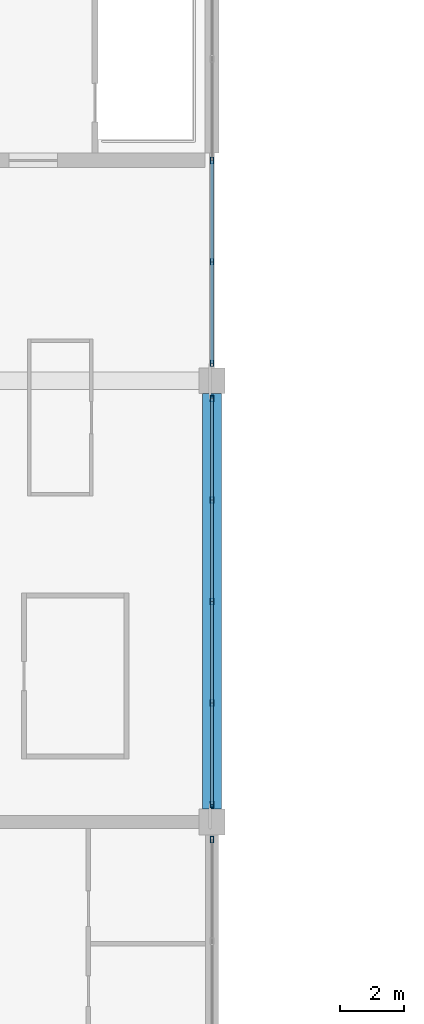
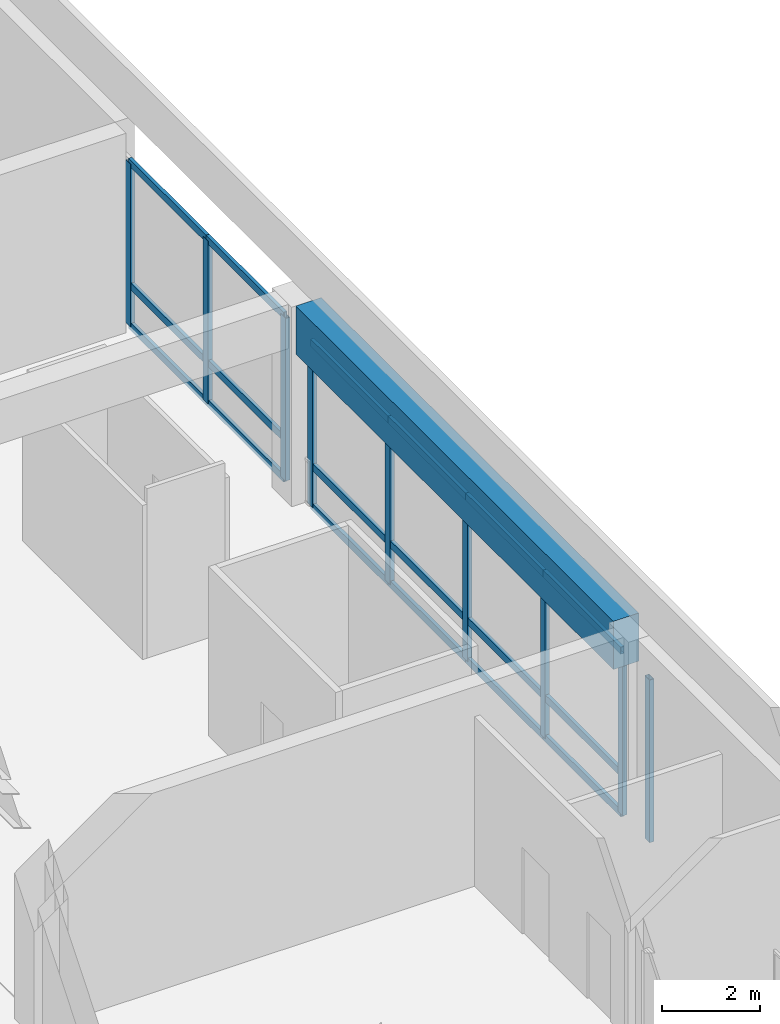
# One storey, part 20 of 113: 27 members, 1 beam, 3 elements without a shape of their own.
"""IFC4 building model written with IfcOpenShell, lengths in metres."""

import ifcopenshell
import ifcopenshell.guid

model = None  # the IFC model being written
_history = None  # IfcOwnerHistory: only IFC2X3 demands one
_inside = {}  # id of a spatial element -> (the spatial element, [elements in it])
_under = {}  # id of a project, library or spatial element -> (it, [spatial elements below it])
_declared = {}  # id of a project -> (the project, [libraries it declares])
_typed = {}  # id of a type object -> (the type object, [elements of that type])
_made_of = {}  # id of a material, layer set ... -> (it, [elements and type objects made of it])


def new_model(schema):
    """Start an empty IFC model of exactly this schema.

    Asked for "IFC4X3", IfcOpenShell would pick the latest addendum, in which some entities
    have other attributes; the version numbers below select the first issue.
    IFC2X3 requires an IfcOwnerHistory on every rooted entity: one is made here for all.
    """
    global model, _history
    if schema == "IFC4X3":
        model = ifcopenshell.file(schema_version=(4, 3, 0, 0))
    else:
        model = ifcopenshell.file(schema=schema)
    _inside.clear()
    _under.clear()
    _declared.clear()
    _typed.clear()
    _made_of.clear()
    _history = None
    if model.schema == "IFC2X3":
        org = make("IfcOrganization", Name="unknown")
        user = make(
            "IfcPersonAndOrganization",
            ThePerson=make("IfcPerson", FamilyName="unknown"),
            TheOrganization=org,
        )
        app = make(
            "IfcApplication",
            ApplicationDeveloper=org,
            Version="unknown",
            ApplicationFullName="unknown",
            ApplicationIdentifier="unknown",
        )
        _history = make(
            "IfcOwnerHistory",
            OwningUser=user,
            OwningApplication=app,
            ChangeAction="ADDED",
            CreationDate=0,
        )
    return model


def make(cls, **values):
    """One entity of the class cls with the attributes given. An attribute that is None is left unset."""
    return model.create_entity(
        cls, **{name: value for name, value in values.items() if value is not None}
    )


def rooted(cls, **values):
    """An entity with a GlobalId (a new one), such as an element, a storey or a relation."""
    return make(cls, GlobalId=ifcopenshell.guid.new(), OwnerHistory=_history, **values)


def si_unit(unit_type, name, prefix=None):
    """IfcSIUnit, for example si_unit("LENGTHUNIT", "METRE", prefix="MILLI")."""
    return make("IfcSIUnit", UnitType=unit_type, Prefix=prefix, Name=name)


def assignment(units):
    """IfcUnitAssignment: the units of a project."""
    return None if units is None else make("IfcUnitAssignment", Units=units)


def point(xyz):
    """IfcCartesianPoint."""
    return None if xyz is None else make("IfcCartesianPoint", Coordinates=xyz)


def direction(xyz):
    """IfcDirection."""
    return None if xyz is None else make("IfcDirection", DirectionRatios=xyz)


def frame(location, z_axis=None, x_axis=None):
    """IfcAxis2Placement3D, a coordinate frame: its origin and axes. An axis left out is left unset."""
    return make(
        "IfcAxis2Placement3D",
        Location=point(location),
        Axis=direction(z_axis),
        RefDirection=direction(x_axis),
    )


def frame_2d(location, x_axis=None):
    """IfcAxis2Placement2D, a coordinate frame in the plane: its origin and x axis."""
    return make(
        "IfcAxis2Placement2D", Location=point(location), RefDirection=direction(x_axis)
    )


def origin():
    """The frame at (0, 0, 0) with its axes left unset."""
    return frame((0.0, 0.0, 0.0))


def origin_2d():
    """The frame at (0, 0) in the plane with its x axis left unset."""
    return frame_2d((0.0, 0.0))


def place(relative_to, where):
    """IfcLocalPlacement: puts the frame where relative to a parent placement (None: the world)."""
    return make(
        "IfcLocalPlacement", PlacementRelTo=relative_to, RelativePlacement=where
    )


def context(
    kind, dimensions, precision=None, world=None, true_north=None, identifier=None
):
    """IfcGeometricRepresentationContext, for example the 3D "Model" context."""
    return make(
        "IfcGeometricRepresentationContext",
        ContextIdentifier=identifier,
        ContextType=kind,
        CoordinateSpaceDimension=dimensions,
        Precision=precision,
        WorldCoordinateSystem=world,
        TrueNorth=true_north,
    )


def subcontext(parent, identifier, kind, view, scale=None):
    """IfcGeometricRepresentationSubContext, for example "Body" below "Model"."""
    return make(
        "IfcGeometricRepresentationSubContext",
        ContextIdentifier=identifier,
        ContextType=kind,
        ParentContext=parent,
        TargetScale=scale,
        TargetView=view,
    )


def project(units=None, contexts=None):
    """IfcProject with its units and contexts."""
    return rooted(
        "IfcProject",
        Name="project",
        RepresentationContexts=contexts,
        UnitsInContext=assignment(units),
    )


def spatial(cls, under=None, at=None, **own):
    """A site, building, storey or space (cls), placed at a placement, below another one or the project."""
    s = rooted(cls, ObjectPlacement=at, **own)
    if under is not None:
        _under.setdefault(under.id(), (under, []))[1].append(s)
    return s


def profile(cls, at=None, kind="AREA", **sizes):
    """A parametric profile (cls). Its sizes go by their IFC names, for example OverallWidth=200.0."""
    return make(cls, ProfileType=kind, Position=at, **sizes)


def rectangle(**sizes):
    """IfcRectangleProfileDef."""
    return profile("IfcRectangleProfileDef", **sizes)


def hollow_rectangle(**sizes):
    """IfcRectangleHollowProfileDef."""
    return profile("IfcRectangleHollowProfileDef", **sizes)


def extrude(swept, where, along, depth):
    """IfcExtrudedAreaSolid: the profile swept, set in the frame where, extruded along a direction by depth."""
    return make(
        "IfcExtrudedAreaSolid",
        SweptArea=swept,
        Position=where,
        ExtrudedDirection=direction(along),
        Depth=depth,
    )


def shape(context_of_items, identifier, shape_type, items):
    """IfcShapeRepresentation: the items that make up one representation, for example the "Body"."""
    return make(
        "IfcShapeRepresentation",
        ContextOfItems=context_of_items,
        RepresentationIdentifier=identifier,
        RepresentationType=shape_type,
        Items=items,
    )


def material(Name=None, Category=None):
    """IfcMaterial."""
    return make("IfcMaterial", Name=Name, Category=Category)


def material_profile(
    of_material, cross_section, Name=None, Category=None, Priority=None
):
    """IfcMaterialProfile: a cross section and its material."""
    return make(
        "IfcMaterialProfile",
        Name=Name,
        Material=of_material,
        Profile=cross_section,
        Priority=Priority,
        Category=Category,
    )


def profile_set(profiles, Name=None, composite=None):
    """IfcMaterialProfileSet."""
    return make(
        "IfcMaterialProfileSet",
        Name=Name,
        MaterialProfiles=profiles,
        CompositeProfile=composite,
    )


def made_of(thing, what):
    """Note that an element or type object is made of a material, layer set ...; save() writes the relation."""
    if what is not None:
        _made_of.setdefault(what.id(), (what, []))[1].append(thing)
    return thing


def type_object(cls, material=None, **own):
    """A type object (cls), such as IfcWallType, which elements share."""
    return made_of(rooted(cls, **own), material)


def element(
    cls,
    number,
    at=None,
    inside=None,
    cuts=None,
    type_object=None,
    material=None,
    context=None,
    identifier="Body",
    shape_type=None,
    held_by="IfcProductDefinitionShape",
    body=None,
    shapes=None,
    **own,
):
    """One element of the class cls, such as IfcWall. Its Tag is "e" and its number.

    at: its placement. inside: the storey or other place that contains it. cuts: it is an
    opening in that element (IfcRelVoidsElement). A single representation is given by context,
    identifier, shape_type and body (its items); several are given by shapes. held_by: the class
    of the entity that holds the representations. save() writes the other relations.
    """
    e = rooted(cls, Tag="e%d" % number, ObjectPlacement=at, **own)
    if body is not None:
        shapes = [shape(context, identifier, shape_type, body)]
    if shapes is not None:
        e.Representation = make(held_by, Representations=shapes)
    if inside is not None:
        _inside.setdefault(inside.id(), (inside, []))[1].append(e)
    if cuts is not None:
        rooted(
            "IfcRelVoidsElement", RelatingBuildingElement=cuts, RelatedOpeningElement=e
        )
    if type_object is not None:
        _typed.setdefault(type_object.id(), (type_object, []))[1].append(e)
    return made_of(e, material)


def aggregate(whole, parts):
    """IfcRelAggregates: a whole, such as a stair, and the parts it consists of."""
    return rooted("IfcRelAggregates", RelatingObject=whole, RelatedObjects=parts)


def save(model, path):
    """Write the relations noted so far, then the file.

    IfcRelAggregates (storeys below a building ...), IfcRelContainedInSpatialStructure (elements
    in a storey), IfcRelDefinesByType, IfcRelAssociatesMaterial and IfcRelDeclares: one each for
    every whole, place, type object, material and project.
    """
    for whole, parts in _under.values():
        aggregate(whole, parts)
    for where, things in _inside.values():
        rooted(
            "IfcRelContainedInSpatialStructure",
            RelatedElements=things,
            RelatingStructure=where,
        )
    for kind, things in _typed.values():
        rooted("IfcRelDefinesByType", RelatedObjects=things, RelatingType=kind)
    for what, things in _made_of.values():
        rooted("IfcRelAssociatesMaterial", RelatedObjects=things, RelatingMaterial=what)
    for by, libraries in _declared.values():
        rooted("IfcRelDeclares", RelatingContext=by, RelatedDefinitions=libraries)
    model.write(path)


model = new_model("IFC4")

# Units and contexts
model_context = context("Model", 3, precision=1e-05, world=origin(), true_north=direction((0.0, 1.0)))
body_context = subcontext(model_context, "Body", "Model", "MODEL_VIEW")
ifc_project = project(units=[si_unit("LENGTHUNIT", "METRE"), si_unit("AREAUNIT", "SQUARE_METRE"), si_unit("VOLUMEUNIT", "CUBIC_METRE"), si_unit("PLANEANGLEUNIT", "RADIAN"), si_unit("MASSUNIT", "GRAM", prefix="KILO")], contexts=[model_context])

# Site, building, storey
site_placement = place(None, origin())
site = spatial("IfcSite", under=ifc_project, at=site_placement, CompositionType="ELEMENT")
building_placement = place(site_placement, origin())
building = spatial("IfcBuilding", under=site, at=building_placement, Name="Linyun Crest Stadium", CompositionType="ELEMENT")
storey_placement = place(building_placement, frame((0.0, 0.0, 26.39990234375)))
storey = spatial("IfcBuildingStorey", under=building, at=storey_placement, Name="L06", CompositionType="ELEMENT", Elevation=26.39990234375)

# Curtain wall, member
ifc_material_1 = material(Name="Verdigris steel and low-E curtain wall assembly", Category="steel")
curtain_wall_type = type_object("IfcCurtainWallType", Name="MCW06", PredefinedType="NOTDEFINED", material=ifc_material_1)
curtain_wall_1_placement = place(storey_placement, origin())
curtain_wall_1 = element("IfcCurtainWall", 1, at=curtain_wall_1_placement, inside=storey, type_object=curtain_wall_type, Name="CWR-104", PredefinedType="NOTDEFINED")
ifc_material_2 = material(Name="Verdigris painted steel Q355C mullion", Category="steel")
ifc_material_profile_1 = material_profile(ifc_material_2, hollow_rectangle(XDim=0.10009765625, YDim=0.199951171875, WallThickness=0.008056640625, at=origin_2d()), Name="RHS 200x100x8")
ifc_profile_set_1 = profile_set([ifc_material_profile_1], Name="Verdigris painted steel Q355C mullion")
member_type_1 = type_object("IfcMemberType", Name="ML03", PredefinedType="MULLION", material=ifc_profile_set_1)
member_1_placement = place(storey_placement, frame((-70.0, 15.324951171875, 0.0), z_axis=(0.0, 0.0, 1.0), x_axis=(-1.0, 0.0, 0.0)))
member_1 = element("IfcMember", 2, at=member_1_placement, type_object=member_type_1, Name="CWR-104 mullion 5", PredefinedType="MULLION", context=body_context, shape_type="SweptSolid", body=[
    extrude(hollow_rectangle(XDim=0.10009765625, YDim=0.199951171875, WallThickness=0.008056640625, at=origin_2d()), origin(), (0.0, 0.0, 1.0), 4.050048828125),
])
aggregate(curtain_wall_1, [member_1])

# Curtain wall, members
curtain_wall_2_placement = place(storey_placement, origin())
curtain_wall_2 = element("IfcCurtainWall", 3, at=curtain_wall_2_placement, inside=storey, type_object=curtain_wall_type, Name="CWR-113", PredefinedType="NOTDEFINED")
member_2_placement = place(storey_placement, frame((-70.0, 16.425048828125, 0.0), z_axis=(0.0, 0.0, 1.0), x_axis=(-1.0, 0.0, 0.0)))
member_2 = element("IfcMember", 4, at=member_2_placement, type_object=member_type_1, Name="CWR-113 mullion 1", PredefinedType="MULLION", context=body_context, shape_type="SweptSolid", body=[
    extrude(hollow_rectangle(XDim=0.10009765625, YDim=0.199951171875, WallThickness=0.008056640625, at=origin_2d()), origin(), (0.0, 0.0, 1.0), 4.050048828125),
])
member_3_placement = place(storey_placement, frame((-70.0, 19.587890625, 0.0), z_axis=(0.0, 0.0, 1.0), x_axis=(-1.0, 0.0, 0.0)))
member_3 = element("IfcMember", 5, at=member_3_placement, type_object=member_type_1, Name="CWR-113 mullion 2", PredefinedType="MULLION", context=body_context, shape_type="SweptSolid", body=[
    extrude(hollow_rectangle(XDim=0.10009765625, YDim=0.199951171875, WallThickness=0.008056640625, at=origin_2d()), origin(), (0.0, 0.0, 1.0), 4.050048828125),
])
member_4_placement = place(storey_placement, frame((-70.0, 22.75, 0.0), z_axis=(0.0, 0.0, 1.0), x_axis=(-1.0, 0.0, 0.0)))
member_4 = element("IfcMember", 6, at=member_4_placement, type_object=member_type_1, Name="CWR-113 mullion 3", PredefinedType="MULLION", context=body_context, shape_type="SweptSolid", body=[
    extrude(hollow_rectangle(XDim=0.10009765625, YDim=0.199951171875, WallThickness=0.008056640625, at=origin_2d()), origin(), (0.0, 0.0, 1.0), 4.050048828125),
])
member_5_placement = place(storey_placement, frame((-70.0, 25.912109375, 0.0), z_axis=(0.0, 0.0, 1.0), x_axis=(-1.0, 0.0, 0.0)))
member_5 = element("IfcMember", 7, at=member_5_placement, type_object=member_type_1, Name="CWR-113 mullion 4", PredefinedType="MULLION", context=body_context, shape_type="SweptSolid", body=[
    extrude(hollow_rectangle(XDim=0.10009765625, YDim=0.199951171875, WallThickness=0.008056640625, at=origin_2d()), origin(), (0.0, 0.0, 1.0), 4.050048828125),
])
member_6_placement = place(storey_placement, frame((-70.0, 29.074951171875, 0.0), z_axis=(0.0, 0.0, 1.0), x_axis=(-1.0, 0.0, 0.0)))
member_6 = element("IfcMember", 8, at=member_6_placement, type_object=member_type_1, Name="CWR-113 mullion 5", PredefinedType="MULLION", context=body_context, shape_type="SweptSolid", body=[
    extrude(hollow_rectangle(XDim=0.10009765625, YDim=0.199951171875, WallThickness=0.008056640625, at=origin_2d()), origin(), (0.0, 0.0, 1.0), 4.050048828125),
])

curtain_wall_3_placement = place(storey_placement, origin())
curtain_wall_3 = element("IfcCurtainWall", 9, at=curtain_wall_3_placement, inside=storey, type_object=curtain_wall_type, Name="CWR-122", PredefinedType="NOTDEFINED")
member_7_placement = place(storey_placement, frame((-70.0, 30.175048828125, 0.0), z_axis=(0.0, 0.0, 1.0), x_axis=(-1.0, 0.0, 0.0)))
member_7 = element("IfcMember", 10, at=member_7_placement, type_object=member_type_1, Name="CWR-122 mullion 1", PredefinedType="MULLION", context=body_context, shape_type="SweptSolid", body=[
    extrude(hollow_rectangle(XDim=0.10009765625, YDim=0.199951171875, WallThickness=0.008056640625, at=origin_2d()), origin(), (0.0, 0.0, 1.0), 4.050048828125),
])
member_8_placement = place(storey_placement, frame((-70.0, 33.337890625, 0.0), z_axis=(0.0, 0.0, 1.0), x_axis=(-1.0, 0.0, 0.0)))
member_8 = element("IfcMember", 11, at=member_8_placement, type_object=member_type_1, Name="CWR-122 mullion 2", PredefinedType="MULLION", context=body_context, shape_type="SweptSolid", body=[
    extrude(hollow_rectangle(XDim=0.10009765625, YDim=0.199951171875, WallThickness=0.008056640625, at=origin_2d()), origin(), (0.0, 0.0, 1.0), 4.050048828125),
])
member_9_placement = place(storey_placement, frame((-70.0, 36.5, 0.0), z_axis=(0.0, 0.0, 1.0), x_axis=(-1.0, 0.0, 0.0)))
member_9 = element("IfcMember", 12, at=member_9_placement, type_object=member_type_1, Name="CWR-122 mullion 3", PredefinedType="MULLION", context=body_context, shape_type="SweptSolid", body=[
    extrude(hollow_rectangle(XDim=0.10009765625, YDim=0.199951171875, WallThickness=0.008056640625, at=origin_2d()), origin(), (0.0, 0.0, 1.0), 4.050048828125),
])

# Beam
ifc_material_3 = material(Name="Concrete C50", Category="concrete")
ifc_material_profile_2 = material_profile(ifc_material_3, rectangle(XDim=0.60009765625, YDim=1.199951171875, at=origin_2d()), Name="RCB 1200x600")
ifc_profile_set_2 = profile_set([ifc_material_profile_2], Name="Concrete C50")
beam_type = type_object("IfcBeamType", Name="TB02", PredefinedType="USERDEFINED", material=ifc_profile_set_2)
beam_placement = place(storey_placement, frame((-70.0, 16.27490234375, 4.364990234375), z_axis=(0.0, 1.0, 0.0), x_axis=(-1.0, 0.0, 0.0)))
element("IfcBeam", 13, at=beam_placement, inside=storey, type_object=beam_type, Name="Frame beam TB02 L06 379", ObjectType="GIRDER", PredefinedType="USERDEFINED", context=body_context, shape_type="SweptSolid", body=[
    extrude(rectangle(XDim=0.60009765625, YDim=1.199951171875, at=origin_2d()), origin(), (0.0, 0.0, 1.0), 12.9501953125),
])

# Member
ifc_material_4 = material(Name="Verdigris painted steel Q355B transom", Category="steel")
ifc_material_profile_3 = material_profile(ifc_material_4, hollow_rectangle(XDim=0.080078125, YDim=0.179931640625, WallThickness=0.006103515625, at=origin_2d()), Name="RHS 180x80x6")
ifc_profile_set_3 = profile_set([ifc_material_profile_3], Name="Verdigris painted steel Q355B transom")
member_type_2 = type_object("IfcMemberType", Name="TR02", PredefinedType="USERDEFINED", material=ifc_profile_set_3)
member_10_placement = place(storey_placement, frame((-70.0, 16.425048828125, 0.0), z_axis=(0.0, 1.0, 0.0), x_axis=(-1.0, 0.0, 0.0)))
member_10 = element("IfcMember", 14, at=member_10_placement, type_object=member_type_2, Name="CWR-113 transom 1.1", ObjectType="TRANSOM", PredefinedType="USERDEFINED", context=body_context, shape_type="SweptSolid", body=[
    extrude(hollow_rectangle(XDim=0.080078125, YDim=0.179931640625, WallThickness=0.006103515625, at=origin_2d()), origin(), (0.0, 0.0, 1.0), 3.162841796875),
])

member_11_placement = place(storey_placement, frame((-70.0, 16.425048828125, 1.0), z_axis=(0.0, 1.0, 0.0), x_axis=(-1.0, 0.0, 0.0)))
member_11 = element("IfcMember", 15, at=member_11_placement, type_object=member_type_2, Name="CWR-113 transom 1.2", ObjectType="TRANSOM", PredefinedType="USERDEFINED", context=body_context, shape_type="SweptSolid", body=[
    extrude(hollow_rectangle(XDim=0.080078125, YDim=0.179931640625, WallThickness=0.006103515625, at=origin_2d()), origin(), (0.0, 0.0, 1.0), 3.162841796875),
])

member_12_placement = place(storey_placement, frame((-70.0, 16.425048828125, 4.050048828125), z_axis=(0.0, 1.0, 0.0), x_axis=(-1.0, 0.0, 0.0)))
member_12 = element("IfcMember", 16, at=member_12_placement, type_object=member_type_2, Name="CWR-113 transom 1.3", ObjectType="TRANSOM", PredefinedType="USERDEFINED", context=body_context, shape_type="SweptSolid", body=[
    extrude(hollow_rectangle(XDim=0.080078125, YDim=0.179931640625, WallThickness=0.006103515625, at=origin_2d()), origin(), (0.0, 0.0, 1.0), 3.162841796875),
])

member_13_placement = place(storey_placement, frame((-70.0, 19.587890625, 0.0), z_axis=(0.0, 1.0, 0.0), x_axis=(-1.0, 0.0, 0.0)))
member_13 = element("IfcMember", 17, at=member_13_placement, type_object=member_type_2, Name="CWR-113 transom 2.1", ObjectType="TRANSOM", PredefinedType="USERDEFINED", context=body_context, shape_type="SweptSolid", body=[
    extrude(hollow_rectangle(XDim=0.080078125, YDim=0.179931640625, WallThickness=0.006103515625, at=origin_2d()), origin(), (0.0, 0.0, 1.0), 3.162109375),
])

member_14_placement = place(storey_placement, frame((-70.0, 19.587890625, 1.0), z_axis=(0.0, 1.0, 0.0), x_axis=(-1.0, 0.0, 0.0)))
member_14 = element("IfcMember", 18, at=member_14_placement, type_object=member_type_2, Name="CWR-113 transom 2.2", ObjectType="TRANSOM", PredefinedType="USERDEFINED", context=body_context, shape_type="SweptSolid", body=[
    extrude(hollow_rectangle(XDim=0.080078125, YDim=0.179931640625, WallThickness=0.006103515625, at=origin_2d()), origin(), (0.0, 0.0, 1.0), 3.162109375),
])

member_15_placement = place(storey_placement, frame((-70.0, 19.587890625, 4.050048828125), z_axis=(0.0, 1.0, 0.0), x_axis=(-1.0, 0.0, 0.0)))
member_15 = element("IfcMember", 19, at=member_15_placement, type_object=member_type_2, Name="CWR-113 transom 2.3", ObjectType="TRANSOM", PredefinedType="USERDEFINED", context=body_context, shape_type="SweptSolid", body=[
    extrude(hollow_rectangle(XDim=0.080078125, YDim=0.179931640625, WallThickness=0.006103515625, at=origin_2d()), origin(), (0.0, 0.0, 1.0), 3.162109375),
])

member_16_placement = place(storey_placement, frame((-70.0, 22.75, 0.0), z_axis=(0.0, 1.0, 0.0), x_axis=(-1.0, 0.0, 0.0)))
member_16 = element("IfcMember", 20, at=member_16_placement, type_object=member_type_2, Name="CWR-113 transom 3.1", ObjectType="TRANSOM", PredefinedType="USERDEFINED", context=body_context, shape_type="SweptSolid", body=[
    extrude(hollow_rectangle(XDim=0.080078125, YDim=0.179931640625, WallThickness=0.006103515625, at=origin_2d()), origin(), (0.0, 0.0, 1.0), 3.162109375),
])

member_17_placement = place(storey_placement, frame((-70.0, 22.75, 1.0), z_axis=(0.0, 1.0, 0.0), x_axis=(-1.0, 0.0, 0.0)))
member_17 = element("IfcMember", 21, at=member_17_placement, type_object=member_type_2, Name="CWR-113 transom 3.2", ObjectType="TRANSOM", PredefinedType="USERDEFINED", context=body_context, shape_type="SweptSolid", body=[
    extrude(hollow_rectangle(XDim=0.080078125, YDim=0.179931640625, WallThickness=0.006103515625, at=origin_2d()), origin(), (0.0, 0.0, 1.0), 3.162109375),
])

member_18_placement = place(storey_placement, frame((-70.0, 22.75, 4.050048828125), z_axis=(0.0, 1.0, 0.0), x_axis=(-1.0, 0.0, 0.0)))
member_18 = element("IfcMember", 22, at=member_18_placement, type_object=member_type_2, Name="CWR-113 transom 3.3", ObjectType="TRANSOM", PredefinedType="USERDEFINED", context=body_context, shape_type="SweptSolid", body=[
    extrude(hollow_rectangle(XDim=0.080078125, YDim=0.179931640625, WallThickness=0.006103515625, at=origin_2d()), origin(), (0.0, 0.0, 1.0), 3.162109375),
])

member_19_placement = place(storey_placement, frame((-70.0, 25.912109375, 0.0), z_axis=(0.0, 1.0, 0.0), x_axis=(-1.0, 0.0, 0.0)))
member_19 = element("IfcMember", 23, at=member_19_placement, type_object=member_type_2, Name="CWR-113 transom 4.1", ObjectType="TRANSOM", PredefinedType="USERDEFINED", context=body_context, shape_type="SweptSolid", body=[
    extrude(hollow_rectangle(XDim=0.080078125, YDim=0.179931640625, WallThickness=0.006103515625, at=origin_2d()), origin(), (0.0, 0.0, 1.0), 3.162841796875),
])

member_20_placement = place(storey_placement, frame((-70.0, 25.912109375, 1.0), z_axis=(0.0, 1.0, 0.0), x_axis=(-1.0, 0.0, 0.0)))
member_20 = element("IfcMember", 24, at=member_20_placement, type_object=member_type_2, Name="CWR-113 transom 4.2", ObjectType="TRANSOM", PredefinedType="USERDEFINED", context=body_context, shape_type="SweptSolid", body=[
    extrude(hollow_rectangle(XDim=0.080078125, YDim=0.179931640625, WallThickness=0.006103515625, at=origin_2d()), origin(), (0.0, 0.0, 1.0), 3.162841796875),
])

member_21_placement = place(storey_placement, frame((-70.0, 25.912109375, 4.050048828125), z_axis=(0.0, 1.0, 0.0), x_axis=(-1.0, 0.0, 0.0)))
member_21 = element("IfcMember", 25, at=member_21_placement, type_object=member_type_2, Name="CWR-113 transom 4.3", ObjectType="TRANSOM", PredefinedType="USERDEFINED", context=body_context, shape_type="SweptSolid", body=[
    extrude(hollow_rectangle(XDim=0.080078125, YDim=0.179931640625, WallThickness=0.006103515625, at=origin_2d()), origin(), (0.0, 0.0, 1.0), 3.162841796875),
])

aggregate(curtain_wall_2, [member_2, member_3, member_4, member_5, member_6, member_10, member_11, member_12, member_13, member_14, member_15, member_16, member_17, member_18, member_19, member_20, member_21])

member_22_placement = place(storey_placement, frame((-70.0, 30.175048828125, 0.0), z_axis=(0.0, 1.0, 0.0), x_axis=(-1.0, 0.0, 0.0)))
member_22 = element("IfcMember", 26, at=member_22_placement, type_object=member_type_2, Name="CWR-122 transom 1.1", ObjectType="TRANSOM", PredefinedType="USERDEFINED", context=body_context, shape_type="SweptSolid", body=[
    extrude(hollow_rectangle(XDim=0.080078125, YDim=0.179931640625, WallThickness=0.006103515625, at=origin_2d()), origin(), (0.0, 0.0, 1.0), 3.162841796875),
])

member_23_placement = place(storey_placement, frame((-70.0, 30.175048828125, 1.0), z_axis=(0.0, 1.0, 0.0), x_axis=(-1.0, 0.0, 0.0)))
member_23 = element("IfcMember", 27, at=member_23_placement, type_object=member_type_2, Name="CWR-122 transom 1.2", ObjectType="TRANSOM", PredefinedType="USERDEFINED", context=body_context, shape_type="SweptSolid", body=[
    extrude(hollow_rectangle(XDim=0.080078125, YDim=0.179931640625, WallThickness=0.006103515625, at=origin_2d()), origin(), (0.0, 0.0, 1.0), 3.162841796875),
])

member_24_placement = place(storey_placement, frame((-70.0, 30.175048828125, 4.050048828125), z_axis=(0.0, 1.0, 0.0), x_axis=(-1.0, 0.0, 0.0)))
member_24 = element("IfcMember", 28, at=member_24_placement, type_object=member_type_2, Name="CWR-122 transom 1.3", ObjectType="TRANSOM", PredefinedType="USERDEFINED", context=body_context, shape_type="SweptSolid", body=[
    extrude(hollow_rectangle(XDim=0.080078125, YDim=0.179931640625, WallThickness=0.006103515625, at=origin_2d()), origin(), (0.0, 0.0, 1.0), 3.162841796875),
])

member_25_placement = place(storey_placement, frame((-70.0, 33.337890625, 0.0), z_axis=(0.0, 1.0, 0.0), x_axis=(-1.0, 0.0, 0.0)))
member_25 = element("IfcMember", 29, at=member_25_placement, type_object=member_type_2, Name="CWR-122 transom 2.1", ObjectType="TRANSOM", PredefinedType="USERDEFINED", context=body_context, shape_type="SweptSolid", body=[
    extrude(hollow_rectangle(XDim=0.080078125, YDim=0.179931640625, WallThickness=0.006103515625, at=origin_2d()), origin(), (0.0, 0.0, 1.0), 3.162109375),
])

member_26_placement = place(storey_placement, frame((-70.0, 33.337890625, 1.0), z_axis=(0.0, 1.0, 0.0), x_axis=(-1.0, 0.0, 0.0)))
member_26 = element("IfcMember", 30, at=member_26_placement, type_object=member_type_2, Name="CWR-122 transom 2.2", ObjectType="TRANSOM", PredefinedType="USERDEFINED", context=body_context, shape_type="SweptSolid", body=[
    extrude(hollow_rectangle(XDim=0.080078125, YDim=0.179931640625, WallThickness=0.006103515625, at=origin_2d()), origin(), (0.0, 0.0, 1.0), 3.162109375),
])

member_27_placement = place(storey_placement, frame((-70.0, 33.337890625, 4.050048828125), z_axis=(0.0, 1.0, 0.0), x_axis=(-1.0, 0.0, 0.0)))
member_27 = element("IfcMember", 31, at=member_27_placement, type_object=member_type_2, Name="CWR-122 transom 2.3", ObjectType="TRANSOM", PredefinedType="USERDEFINED", context=body_context, shape_type="SweptSolid", body=[
    extrude(hollow_rectangle(XDim=0.080078125, YDim=0.179931640625, WallThickness=0.006103515625, at=origin_2d()), origin(), (0.0, 0.0, 1.0), 3.162109375),
])

aggregate(curtain_wall_3, [member_7, member_8, member_9, member_22, member_23, member_24, member_25, member_26, member_27])

save(model, "model.ifc")
